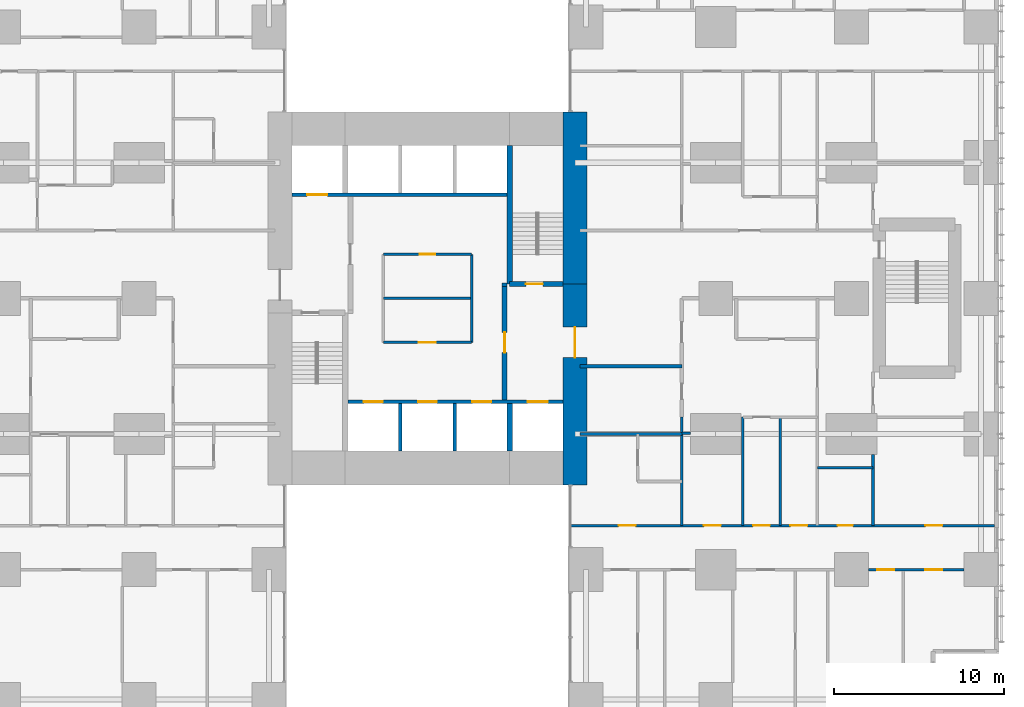
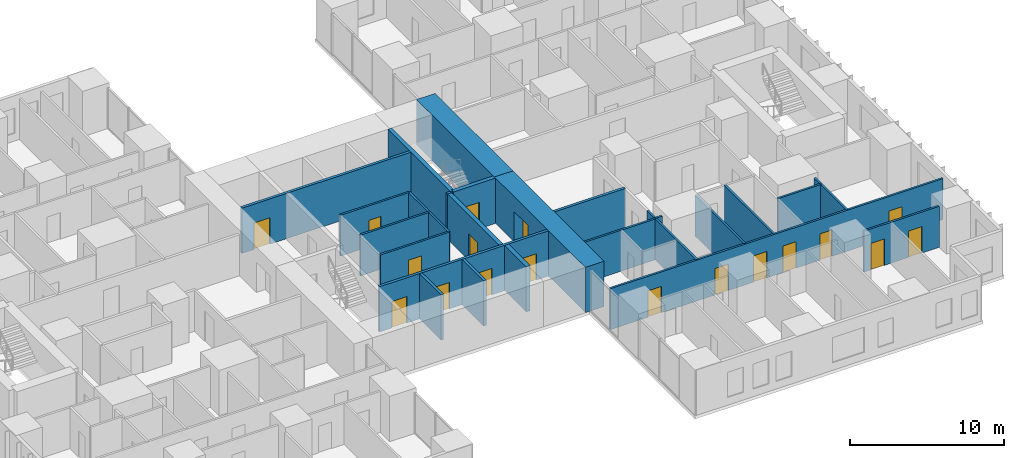
# One storey, part 15 of 20: 25 walls, 18 doors, 18 openings.
"""IFC4 building model written with IfcOpenShell, lengths in metres."""

from ifc_helpers import new_model, si_unit, direction, frame, frame_2d, origin, place, context, subcontext, project, spatial, rectangle, extrude, material, layer, layer_set, type_object, element, fill, save


model = new_model("IFC4")

# Units and contexts
model_context = context("Model", 3, precision=1e-05, world=origin(), true_north=direction((0.0, 1.0)))
body_context = subcontext(model_context, "Body", "Model", "MODEL_VIEW")
ifc_project = project(units=[si_unit("LENGTHUNIT", "METRE"), si_unit("AREAUNIT", "SQUARE_METRE"), si_unit("VOLUMEUNIT", "CUBIC_METRE"), si_unit("PLANEANGLEUNIT", "RADIAN"), si_unit("MASSUNIT", "GRAM", prefix="KILO")], contexts=[model_context])

# Site, building, storey
site_placement = place(None, origin())
site = spatial("IfcSite", under=ifc_project, at=site_placement, CompositionType="ELEMENT")
building_placement = place(site_placement, origin())
building = spatial("IfcBuilding", under=site, at=building_placement, Name="Cleftline Residences", CompositionType="ELEMENT")
storey_placement = place(building_placement, frame((0.0, 0.0, 87.199951171875)))
storey = spatial("IfcBuildingStorey", under=building, at=storey_placement, Name="L22", CompositionType="ELEMENT", Elevation=87.199951171875)

# Wall, opening, door
ifc_material_1 = material(Name="Concrete B70", Category="concrete")
ifc_layer_1 = layer(ifc_material_1, 1.39990234375)
ifc_layer_set_1 = layer_set([ifc_layer_1], Name="CORE WALL 1400")
wall_type_1 = type_object("IfcWallType", Name="CORE WALL 1400", PredefinedType="SHEAR", material=ifc_layer_set_1)
wall_1_placement = place(storey_placement, frame((41.699951171875, 13.0, 0.0), z_axis=(0.0, 0.0, 1.0), x_axis=(0.0, 1.0, 0.0)))
wall_1 = element("IfcWall", 1, at=wall_1_placement, inside=storey, type_object=wall_type_1, Name="Core wall E", PredefinedType="SHEAR", context=body_context, shape_type="SweptSolid", body=[
    extrude(rectangle(XDim=11.85009765625, YDim=1.39990234375, at=frame_2d((5.925048828125, 0.0))), origin(), (0.0, 0.0, 1.0), 3.60009765625),
])
opening_1_placement = place(wall_1_placement, frame((7.5, 0.0, 0.0)))
opening_1 = element("IfcOpeningElement", 2, at=opening_1_placement, cuts=wall_1, Name="Opening D7", PredefinedType="OPENING", context=body_context, shape_type="SweptSolid", body=[
    extrude(rectangle(XDim=1.800048828125, YDim=2.39990234375, at=frame_2d((0.89990234375, 1.199951171875))), frame((0.0, 0.7099609375, 0.0), z_axis=(0.0, -1.0, 0.0), x_axis=(1.0, 0.0, 0.0)), (0.0, 0.0, 1.0), 1.419921875),
])
ifc_material_2 = material(Name="Steel", Category="steel")
door_type_1 = type_object("IfcDoorType", Name="WING DOOR 1800X2400", OperationType="DOUBLE_DOOR_DOUBLE_SWING", PredefinedType="DOOR", material=ifc_material_2)
door_1_placement = place(opening_1_placement, origin())
door_1 = element("IfcDoor", 3, at=door_1_placement, inside=storey, type_object=door_type_1, Name="East wing door", OperationType="DOUBLE_DOOR_DOUBLE_SWING", OverallHeight=2.39990234375, OverallWidth=1.800048828125, PredefinedType="DOOR", context=body_context, shape_type="SweptSolid", body=[
    extrude(rectangle(XDim=1.800048828125, YDim=2.39990234375, at=frame_2d((0.89990234375, 1.199951171875))), frame((0.0, 0.02490234375, 0.0), z_axis=(0.0, -1.0, 0.0), x_axis=(1.0, 0.0, 0.0)), (0.0, 0.0, 1.0), 0.050048828125),
])
fill(opening_1, door_1)

# Walls
wall_2_placement = place(storey_placement, frame((41.699951171875, 24.85009765625, 0.0), z_axis=(0.0, 0.0, 1.0), x_axis=(0.0, 1.0, 0.0)))
element("IfcWall", 4, at=wall_2_placement, inside=storey, type_object=wall_type_1, Name="Core wall E1", PredefinedType="SHEAR", context=body_context, shape_type="SweptSolid", body=[
    extrude(rectangle(XDim=10.14990234375, YDim=1.39990234375, at=frame_2d((5.074951171875, 0.0))), origin(), (0.0, 0.0, 1.0), 3.60009765625),
])
ifc_material_3 = material(Name="Concrete B70", Category="concrete")
ifc_layer_2 = layer(ifc_material_3, 0.300048828125)
ifc_layer_set_2 = layer_set([ifc_layer_2], Name="CORE WALL 300")
wall_type_2 = type_object("IfcWallType", Name="CORE WALL 300", PredefinedType="SHEAR", material=ifc_layer_set_2)
wall_3_placement = place(storey_placement, frame((37.85009765625, 24.85009765625, 0.0), z_axis=(0.0, 0.0, 1.0), x_axis=(0.0, 1.0, 0.0)))
element("IfcWall", 5, at=wall_3_placement, inside=storey, type_object=wall_type_2, Name="Core wall SB-W", PredefinedType="SHEAR", context=body_context, shape_type="SweptSolid", body=[
    extrude(rectangle(XDim=8.14990234375, YDim=0.300048828125, at=frame_2d((4.074951171875, 0.0))), origin(), (0.0, 0.0, 1.0), 3.60009765625),
])

# Wall, opening, door
wall_4_placement = place(storey_placement, frame((37.85009765625, 24.85009765625, 0.0), z_axis=(0.0, 0.0, 1.0), x_axis=(1.0, 0.0, 0.0)))
wall_4 = element("IfcWall", 6, at=wall_4_placement, inside=storey, type_object=wall_type_2, Name="Core wall SB-S", PredefinedType="SHEAR", context=body_context, shape_type="SweptSolid", body=[
    extrude(rectangle(XDim=3.14990234375, YDim=0.300048828125, at=frame_2d((1.574951171875, 0.0))), origin(), (0.0, 0.0, 1.0), 3.60009765625),
])
opening_2_placement = place(wall_4_placement, frame((0.949951171875, 0.0, 0.0)))
opening_2 = element("IfcOpeningElement", 7, at=opening_2_placement, cuts=wall_4, Name="Opening D5", PredefinedType="OPENING", context=body_context, shape_type="SweptSolid", body=[
    extrude(rectangle(XDim=1.0, YDim=2.10009765625, at=frame_2d((0.5, 1.050048828125))), frame((0.0, 0.159912109375, 0.0), z_axis=(0.0, -1.0, 0.0), x_axis=(1.0, 0.0, 0.0)), (0.0, 0.0, 1.0), 0.320068359375),
])
ifc_material_4 = material(Name="Steel", Category="steel")
door_type_2 = type_object("IfcDoorType", Name="STAIR DOOR 1000X2100", OperationType="SINGLE_SWING_LEFT", PredefinedType="DOOR", material=ifc_material_4)
door_2_placement = place(opening_2_placement, origin())
door_2 = element("IfcDoor", 8, at=door_2_placement, inside=storey, type_object=door_type_2, Name="Stair B door", OperationType="SINGLE_SWING_RIGHT", OverallHeight=2.10009765625, OverallWidth=1.0, PredefinedType="DOOR", context=body_context, shape_type="SweptSolid", body=[
    extrude(rectangle(XDim=1.0, YDim=2.10009765625, at=frame_2d((0.5, 1.050048828125))), frame((0.0, 0.02490234375, 0.0), z_axis=(0.0, -1.0, 0.0), x_axis=(1.0, 0.0, 0.0)), (0.0, 0.0, 1.0), 0.050048828125),
])
fill(opening_2, door_2)

# Walls
wall_5_placement = place(storey_placement, frame((37.85009765625, 15.0, 0.0), z_axis=(0.0, 0.0, 1.0), x_axis=(0.0, 1.0, 0.0)))
element("IfcWall", 9, at=wall_5_placement, inside=storey, type_object=wall_type_2, Name="Lift shaft wall", PredefinedType="SHEAR", context=body_context, shape_type="SweptSolid", body=[
    extrude(rectangle(XDim=2.800048828125, YDim=0.300048828125, at=frame_2d((1.39990234375, 0.0))), origin(), (0.0, 0.0, 1.0), 3.60009765625),
])
ifc_material_5 = material(Name="Concrete blockwork, fire rated", Category="masonry")
ifc_layer_3 = layer(ifc_material_5, 0.199951171875)
ifc_layer_set_3 = layer_set([ifc_layer_3], Name="FIRE WALL 200")
wall_type_3 = type_object("IfcWallType", Name="FIRE WALL 200", PredefinedType="PARTITIONING", material=ifc_layer_set_3)
wall_6_placement = place(storey_placement, frame((42.0, 20.0, 0.0), z_axis=(0.0, 0.0, 1.0), x_axis=(1.0, 0.0, 0.0)))
element("IfcWall", 10, at=wall_6_placement, inside=storey, type_object=wall_type_3, Name="Fire separating wall", PredefinedType="PARTITIONING", context=body_context, shape_type="SweptSolid", body=[
    extrude(rectangle(XDim=6.0, YDim=0.199951171875, at=frame_2d((3.0, 0.0))), origin(), (0.0, 0.0, 1.0), 3.25),
])
wall_7_placement = place(storey_placement, frame((37.39990234375, 24.800048828125, 0.0), z_axis=(0.0, 0.0, 1.0), x_axis=(1.0, 0.0, 0.0)))
element("IfcWall", 11, at=wall_7_placement, inside=storey, type_object=wall_type_3, Name="Fire separating wall", PredefinedType="PARTITIONING", context=body_context, shape_type="SweptSolid", body=[
    extrude(rectangle(XDim=0.300048828125, YDim=0.199951171875, at=frame_2d((0.14990234375, 0.0))), origin(), (0.0, 0.0, 1.0), 3.60009765625),
])

# Wall, openings, doors
ifc_material_6 = material(Name="Gypsum board on steel studs", Category="steel")
ifc_layer_4 = layer(ifc_material_6, 0.14990234375)
ifc_layer_set_4 = layer_set([ifc_layer_4], Name="PARTITION 150")
wall_type_4 = type_object("IfcWallType", Name="PARTITION 150", PredefinedType="PARTITIONING", material=ifc_layer_set_4)
wall_8_placement = place(storey_placement, frame((59.0, 8.0, 0.0), z_axis=(0.0, 0.0, 1.0), x_axis=(1.0, 0.0, 0.0)))
wall_8 = element("IfcWall", 12, at=wall_8_placement, inside=storey, type_object=wall_type_4, Name="Partition", PredefinedType="PARTITIONING", context=body_context, shape_type="SweptSolid", body=[
    extrude(rectangle(XDim=5.64990234375, YDim=0.14990234375, at=frame_2d((2.824951171875, 0.0))), origin(), (0.0, 0.0, 1.0), 3.25),
])
opening_3_placement = place(wall_8_placement, frame((3.35009765625, 0.0, 0.0)))
opening_3 = element("IfcOpeningElement", 13, at=opening_3_placement, cuts=wall_8, Name="Opening D2", PredefinedType="OPENING", context=body_context, shape_type="SweptSolid", body=[
    extrude(rectangle(XDim=1.0, YDim=2.10009765625, at=frame_2d((0.5, 1.050048828125))), frame((0.0, 0.0849609375, 0.0), z_axis=(0.0, -1.0, 0.0), x_axis=(1.0, 0.0, 0.0)), (0.0, 0.0, 1.0), 0.169921875),
])
opening_4_placement = place(wall_8_placement, frame((0.52490234375, 0.0, 0.0)))
opening_4 = element("IfcOpeningElement", 14, at=opening_4_placement, cuts=wall_8, Name="Opening D2", PredefinedType="OPENING", context=body_context, shape_type="SweptSolid", body=[
    extrude(rectangle(XDim=1.0, YDim=2.10009765625, at=frame_2d((0.5, 1.050048828125))), frame((0.0, 0.0849609375, 0.0), z_axis=(0.0, -1.0, 0.0), x_axis=(1.0, 0.0, 0.0)), (0.0, 0.0, 1.0), 0.169921875),
])
ifc_material_7 = material(Name="Timber veneer on solid core", Category="wood")
door_type_3 = type_object("IfcDoorType", Name="DOOR 1000X2100", OperationType="SINGLE_SWING_LEFT", PredefinedType="DOOR", material=ifc_material_7)
door_3_placement = place(opening_3_placement, origin())
door_3 = element("IfcDoor", 15, at=door_3_placement, inside=storey, type_object=door_type_3, Name="Door to bedroom 2 sitting room", OperationType="SINGLE_SWING_LEFT", OverallHeight=2.10009765625, OverallWidth=1.0, PredefinedType="DOOR", context=body_context, shape_type="SweptSolid", body=[
    extrude(rectangle(XDim=1.0, YDim=2.10009765625, at=frame_2d((0.5, 1.050048828125))), frame((0.0, 0.02490234375, 0.0), z_axis=(0.0, -1.0, 0.0), x_axis=(1.0, 0.0, 0.0)), (0.0, 0.0, 1.0), 0.050048828125),
])
fill(opening_3, door_3)
door_4_placement = place(opening_4_placement, origin())
door_4 = element("IfcDoor", 16, at=door_4_placement, inside=storey, type_object=door_type_3, Name="Door to bedroom 2", OperationType="SINGLE_SWING_RIGHT", OverallHeight=2.10009765625, OverallWidth=1.0, PredefinedType="DOOR", context=body_context, shape_type="SweptSolid", body=[
    extrude(rectangle(XDim=1.0, YDim=2.10009765625, at=frame_2d((0.5, 1.050048828125))), frame((0.0, 0.02490234375, 0.0), z_axis=(0.0, -1.0, 0.0), x_axis=(1.0, 0.0, 0.0)), (0.0, 0.0, 1.0), 0.050048828125),
])
fill(opening_4, door_4)

wall_9_placement = place(storey_placement, frame((41.43896484375, 10.60009765625, 0.0), z_axis=(0.0, 0.0, 1.0), x_axis=(1.0, 0.0, 0.0)))
wall_9 = element("IfcWall", 17, at=wall_9_placement, inside=storey, type_object=wall_type_4, Name="Partition", PredefinedType="PARTITIONING", context=body_context, shape_type="SweptSolid", body=[
    extrude(rectangle(XDim=25.010986328125, YDim=0.14990234375, at=frame_2d((12.50537109375, 0.0))), origin(), (0.0, 0.0, 1.0), 3.25),
])
opening_5_placement = place(wall_9_placement, frame((10.760986328125, 0.0, 0.0)))
opening_5 = element("IfcOpeningElement", 18, at=opening_5_placement, cuts=wall_9, Name="Opening D2", PredefinedType="OPENING", context=body_context, shape_type="SweptSolid", body=[
    extrude(rectangle(XDim=1.0, YDim=2.10009765625, at=frame_2d((0.5, 1.050048828125))), frame((0.0, 0.0849609375, 0.0), z_axis=(0.0, -1.0, 0.0), x_axis=(1.0, 0.0, 0.0)), (0.0, 0.0, 1.0), 0.169921875),
])
opening_6_placement = place(wall_9_placement, frame((20.923583984375, 0.0, 0.0)))
opening_6 = element("IfcOpeningElement", 19, at=opening_6_placement, cuts=wall_9, Name="Opening D2", PredefinedType="OPENING", context=body_context, shape_type="SweptSolid", body=[
    extrude(rectangle(XDim=1.0, YDim=2.10009765625, at=frame_2d((0.5, 1.050048828125))), frame((0.0, 0.0849609375, 0.0), z_axis=(0.0, -1.0, 0.0), x_axis=(1.0, 0.0, 0.0)), (0.0, 0.0, 1.0), 0.169921875),
])
opening_7_placement = place(wall_9_placement, frame((15.74853515625, 0.0, 0.0)))
opening_7 = element("IfcOpeningElement", 20, at=opening_7_placement, cuts=wall_9, Name="Opening D1", PredefinedType="OPENING", context=body_context, shape_type="SweptSolid", body=[
    extrude(rectangle(XDim=0.89990234375, YDim=2.10009765625, at=frame_2d((0.449951171875, 1.050048828125))), frame((0.0, 0.0849609375, 0.0), z_axis=(0.0, -1.0, 0.0), x_axis=(1.0, 0.0, 0.0)), (0.0, 0.0, 1.0), 0.169921875),
])
opening_8_placement = place(wall_9_placement, frame((12.9609375, 0.0, 0.0)))
opening_8 = element("IfcOpeningElement", 21, at=opening_8_placement, cuts=wall_9, Name="Opening D2", PredefinedType="OPENING", context=body_context, shape_type="SweptSolid", body=[
    extrude(rectangle(XDim=1.0, YDim=2.10009765625, at=frame_2d((0.5, 1.050048828125))), frame((0.0, 0.0849609375, 0.0), z_axis=(0.0, -1.0, 0.0), x_axis=(1.0, 0.0, 0.0)), (0.0, 0.0, 1.0), 0.169921875),
])
opening_9_placement = place(wall_9_placement, frame((7.861083984375, 0.0, 0.0)))
opening_9 = element("IfcOpeningElement", 22, at=opening_9_placement, cuts=wall_9, Name="Opening D2", PredefinedType="OPENING", context=body_context, shape_type="SweptSolid", body=[
    extrude(rectangle(XDim=1.0, YDim=2.10009765625, at=frame_2d((0.5, 1.050048828125))), frame((0.0, 0.0849609375, 0.0), z_axis=(0.0, -1.0, 0.0), x_axis=(1.0, 0.0, 0.0)), (0.0, 0.0, 1.0), 0.169921875),
])
opening_10_placement = place(wall_9_placement, frame((2.8359375, 0.0, 0.0)))
opening_10 = element("IfcOpeningElement", 23, at=opening_10_placement, cuts=wall_9, Name="Opening D2", PredefinedType="OPENING", context=body_context, shape_type="SweptSolid", body=[
    extrude(rectangle(XDim=1.0, YDim=2.10009765625, at=frame_2d((0.5, 1.050048828125))), frame((0.0, 0.0849609375, 0.0), z_axis=(0.0, -1.0, 0.0), x_axis=(1.0, 0.0, 0.0)), (0.0, 0.0, 1.0), 0.169921875),
])
door_5_placement = place(opening_5_placement, origin())
door_5 = element("IfcDoor", 24, at=door_5_placement, inside=storey, type_object=door_type_3, Name="Door to residence hall", OperationType="SINGLE_SWING_RIGHT", OverallHeight=2.10009765625, OverallWidth=1.0, PredefinedType="DOOR", context=body_context, shape_type="SweptSolid", body=[
    extrude(rectangle(XDim=1.0, YDim=2.10009765625, at=frame_2d((0.5, 1.050048828125))), frame((0.0, 0.02490234375, 0.0), z_axis=(0.0, -1.0, 0.0), x_axis=(1.0, 0.0, 0.0)), (0.0, 0.0, 1.0), 0.050048828125),
])
fill(opening_5, door_5)
door_6_placement = place(opening_6_placement, origin())
door_6 = element("IfcDoor", 25, at=door_6_placement, inside=storey, type_object=door_type_3, Name="Door to sea-view living room", OperationType="SINGLE_SWING_LEFT", OverallHeight=2.10009765625, OverallWidth=1.0, PredefinedType="DOOR", context=body_context, shape_type="SweptSolid", body=[
    extrude(rectangle(XDim=1.0, YDim=2.10009765625, at=frame_2d((0.5, 1.050048828125))), frame((0.0, 0.02490234375, 0.0), z_axis=(0.0, -1.0, 0.0), x_axis=(1.0, 0.0, 0.0)), (0.0, 0.0, 1.0), 0.050048828125),
])
fill(opening_6, door_6)
door_7_placement = place(opening_8_placement, origin())
door_7 = element("IfcDoor", 26, at=door_7_placement, inside=storey, type_object=door_type_3, Name="Door to family room", OperationType="SINGLE_SWING_LEFT", OverallHeight=2.10009765625, OverallWidth=1.0, PredefinedType="DOOR", context=body_context, shape_type="SweptSolid", body=[
    extrude(rectangle(XDim=1.0, YDim=2.10009765625, at=frame_2d((0.5, 1.050048828125))), frame((0.0, 0.02490234375, 0.0), z_axis=(0.0, -1.0, 0.0), x_axis=(1.0, 0.0, 0.0)), (0.0, 0.0, 1.0), 0.050048828125),
])
fill(opening_8, door_7)
door_8_placement = place(opening_9_placement, origin())
door_8 = element("IfcDoor", 27, at=door_8_placement, inside=storey, type_object=door_type_3, Name="Door to wet kitchen", OperationType="SINGLE_SWING_RIGHT", OverallHeight=2.10009765625, OverallWidth=1.0, PredefinedType="DOOR", context=body_context, shape_type="SweptSolid", body=[
    extrude(rectangle(XDim=1.0, YDim=2.10009765625, at=frame_2d((0.5, 1.050048828125))), frame((0.0, 0.02490234375, 0.0), z_axis=(0.0, -1.0, 0.0), x_axis=(1.0, 0.0, 0.0)), (0.0, 0.0, 1.0), 0.050048828125),
])
fill(opening_9, door_8)
door_9_placement = place(opening_10_placement, origin())
door_9 = element("IfcDoor", 28, at=door_9_placement, inside=storey, type_object=door_type_3, Name="Door to master bedroom", OperationType="SINGLE_SWING_RIGHT", OverallHeight=2.10009765625, OverallWidth=1.0, PredefinedType="DOOR", context=body_context, shape_type="SweptSolid", body=[
    extrude(rectangle(XDim=1.0, YDim=2.10009765625, at=frame_2d((0.5, 1.050048828125))), frame((0.0, 0.02490234375, 0.0), z_axis=(0.0, -1.0, 0.0), x_axis=(1.0, 0.0, 0.0)), (0.0, 0.0, 1.0), 0.050048828125),
])
fill(opening_10, door_9)
ifc_material_8 = material(Name="Timber veneer on solid core", Category="wood")
door_type_4 = type_object("IfcDoorType", Name="DOOR 900X2100", OperationType="SINGLE_SWING_LEFT", PredefinedType="DOOR", material=ifc_material_8)
door_10_placement = place(opening_7_placement, origin())
door_10 = element("IfcDoor", 29, at=door_10_placement, inside=storey, type_object=door_type_4, Name="Door to bedroom 2 bathroom", OperationType="SINGLE_SWING_LEFT", OverallHeight=2.10009765625, OverallWidth=0.89990234375, PredefinedType="DOOR", context=body_context, shape_type="SweptSolid", body=[
    extrude(rectangle(XDim=0.89990234375, YDim=2.10009765625, at=frame_2d((0.449951171875, 1.050048828125))), frame((0.0, 0.02490234375, 0.0), z_axis=(0.0, -1.0, 0.0), x_axis=(1.0, 0.0, 0.0)), (0.0, 0.0, 1.0), 0.050048828125),
])
fill(opening_7, door_10)

# Walls
wall_10_placement = place(storey_placement, frame((56.0, 14.0, 0.0), z_axis=(0.0, 0.0, 1.0), x_axis=(1.0, 0.0, 0.0)))
element("IfcWall", 30, at=wall_10_placement, inside=storey, type_object=wall_type_4, Name="Partition", PredefinedType="PARTITIONING", context=body_context, shape_type="SweptSolid", body=[
    extrude(rectangle(XDim=3.27490234375, YDim=0.14990234375, at=frame_2d((1.637451171875, 0.0))), origin(), (0.0, 0.0, 1.0), 3.25),
])
wall_11_placement = place(storey_placement, frame((42.0, 16.0, 0.0), z_axis=(0.0, 0.0, 1.0), x_axis=(1.0, 0.0, 0.0)))
element("IfcWall", 31, at=wall_11_placement, inside=storey, type_object=wall_type_4, Name="Partition", PredefinedType="PARTITIONING", context=body_context, shape_type="SweptSolid", body=[
    extrude(rectangle(XDim=6.0, YDim=0.14990234375, at=frame_2d((3.0, 0.0))), origin(), (0.0, 0.0, 1.0), 3.25),
])
wall_12_placement = place(storey_placement, frame((48.0, 16.050048828125, 0.0), z_axis=(0.0, 0.0, 1.0), x_axis=(1.0, 0.0, 0.0)))
element("IfcWall", 32, at=wall_12_placement, inside=storey, type_object=wall_type_4, Name="Partition", PredefinedType="PARTITIONING", context=body_context, shape_type="SweptSolid", body=[
    extrude(rectangle(XDim=0.5, YDim=0.14990234375, at=frame_2d((0.25, 0.0))), origin(), (0.0, 0.0, 1.0), 3.25),
])
for number, where, z_axis, x_axis, name in (
    (33, (48.0, 10.60009765625, 0.0), (0.0, 0.0, 1.0), (0.0, 1.0, 0.0), "Partition"),
    (34, (51.60009765625, 10.60009765625, 0.0), (0.0, 0.0, 1.0), (0.0, 1.0, 0.0), "Partition"),
    (35, (53.800048828125, 10.60009765625, 0.0), (0.0, 0.0, 1.0), (0.0, 1.0, 0.0), "Partition"),
):
    element("IfcWall", number, at=place(storey_placement, frame(where, z_axis=z_axis, x_axis=x_axis)), inside=storey, type_object=wall_type_4, Name=name, PredefinedType="PARTITIONING", context=body_context, shape_type="SweptSolid", body=[
        extrude(rectangle(XDim=6.39990234375, YDim=0.14990234375, at=frame_2d((3.199951171875, 0.0))), origin(), (0.0, 0.0, 1.0), 3.25),
    ])
wall_13_placement = place(storey_placement, frame((59.27490234375, 10.60009765625, 0.0), z_axis=(0.0, 0.0, 1.0), x_axis=(0.0, 1.0, 0.0)))
element("IfcWall", 36, at=wall_13_placement, inside=storey, type_object=wall_type_4, Name="Partition", PredefinedType="PARTITIONING", context=body_context, shape_type="SweptSolid", body=[
    extrude(rectangle(XDim=4.199951171875, YDim=0.14990234375, at=frame_2d((2.10009765625, 0.0))), origin(), (0.0, 0.0, 1.0), 3.25),
])

# Wall, opening, door
ifc_material_9 = material(Name="Fire-resisting gypsum board on steel studs", Category="steel")
ifc_layer_5 = layer(ifc_material_9, 0.14990234375)
ifc_layer_set_5 = layer_set([ifc_layer_5], Name="PARTITION 150 EI 60")
wall_type_5 = type_object("IfcWallType", Name="PARTITION 150 EI 60", PredefinedType="PARTITIONING", material=ifc_layer_set_5)
wall_14_placement = place(storey_placement, frame((30.39990234375, 21.39990234375, 0.0), z_axis=(0.0, 0.0, 1.0), x_axis=(1.0, 0.0, 0.0)))
wall_14 = element("IfcWall", 37, at=wall_14_placement, inside=storey, type_object=wall_type_5, Name="Core room partition", PredefinedType="PARTITIONING", context=body_context, shape_type="SweptSolid", body=[
    extrude(rectangle(XDim=5.2001953125, YDim=0.14990234375, at=frame_2d((2.60009765625, 0.0))), origin(), (0.0, 0.0, 1.0), 3.25),
])
opening_11_placement = place(wall_14_placement, frame((2.10009765625, 0.0, 0.0)))
opening_11 = element("IfcOpeningElement", 38, at=opening_11_placement, cuts=wall_14, Name="Opening D2F60", PredefinedType="OPENING", context=body_context, shape_type="SweptSolid", body=[
    extrude(rectangle(XDim=1.0, YDim=2.10009765625, at=frame_2d((0.5, 1.050048828125))), frame((0.0, 0.0849609375, 0.0), z_axis=(0.0, -1.0, 0.0), x_axis=(1.0, 0.0, 0.0)), (0.0, 0.0, 1.0), 0.169921875),
])
ifc_material_10 = material(Name="Timber veneer on solid core", Category="wood")
door_type_5 = type_object("IfcDoorType", Name="DOOR 1000X2100 EI 60", OperationType="SINGLE_SWING_LEFT", PredefinedType="DOOR", material=ifc_material_10)
door_11_placement = place(opening_11_placement, origin())
door_11 = element("IfcDoor", 39, at=door_11_placement, inside=storey, type_object=door_type_5, Name="Door to electrical room", OperationType="SINGLE_SWING_LEFT", OverallHeight=2.10009765625, OverallWidth=1.0, PredefinedType="DOOR", context=body_context, shape_type="SweptSolid", body=[
    extrude(rectangle(XDim=1.0, YDim=2.10009765625, at=frame_2d((0.5, 1.050048828125))), frame((0.0, 0.02490234375, 0.0), z_axis=(0.0, -1.0, 0.0), x_axis=(1.0, 0.0, 0.0)), (0.0, 0.0, 1.0), 0.050048828125),
])
fill(opening_11, door_11)

wall_15_placement = place(storey_placement, frame((30.39990234375, 26.60009765625, 0.0), z_axis=(0.0, 0.0, 1.0), x_axis=(1.0, 0.0, 0.0)))
wall_15 = element("IfcWall", 40, at=wall_15_placement, inside=storey, type_object=wall_type_5, Name="Core room partition", PredefinedType="PARTITIONING", context=body_context, shape_type="SweptSolid", body=[
    extrude(rectangle(XDim=5.2001953125, YDim=0.14990234375, at=frame_2d((2.60009765625, 0.0))), origin(), (0.0, 0.0, 1.0), 3.25),
])
opening_12_placement = place(wall_15_placement, frame((2.14990234375, 0.0, 0.0)))
opening_12 = element("IfcOpeningElement", 41, at=opening_12_placement, cuts=wall_15, Name="Opening D1F30", PredefinedType="OPENING", context=body_context, shape_type="SweptSolid", body=[
    extrude(rectangle(XDim=0.89990234375, YDim=2.10009765625, at=frame_2d((0.449951171875, 1.050048828125))), frame((0.0, 0.0849609375, 0.0), z_axis=(0.0, -1.0, 0.0), x_axis=(1.0, 0.0, 0.0)), (0.0, 0.0, 1.0), 0.169921875),
])
ifc_material_11 = material(Name="Timber veneer on solid core", Category="wood")
door_type_6 = type_object("IfcDoorType", Name="DOOR 900X2100 EI 30", OperationType="SINGLE_SWING_LEFT", PredefinedType="DOOR", material=ifc_material_11)
door_12_placement = place(opening_12_placement, origin())
door_12 = element("IfcDoor", 42, at=door_12_placement, inside=storey, type_object=door_type_6, Name="Door to maintenance store", OperationType="SINGLE_SWING_LEFT", OverallHeight=2.10009765625, OverallWidth=0.89990234375, PredefinedType="DOOR", context=body_context, shape_type="SweptSolid", body=[
    extrude(rectangle(XDim=0.89990234375, YDim=2.10009765625, at=frame_2d((0.449951171875, 1.050048828125))), frame((0.0, 0.02490234375, 0.0), z_axis=(0.0, -1.0, 0.0), x_axis=(1.0, 0.0, 0.0)), (0.0, 0.0, 1.0), 0.050048828125),
])
fill(opening_12, door_12)

# Walls
for number, where, z_axis, x_axis, name in (
    (43, (35.60009765625, 21.39990234375, 0.0), (0.0, 0.0, 1.0), (0.0, 1.0, 0.0), "Core room partition"),
    (44, (30.39990234375, 24.0, 0.0), (0.0, 0.0, 1.0), (1.0, 0.0, 0.0), "Core room partition"),
):
    element("IfcWall", number, at=place(storey_placement, frame(where, z_axis=z_axis, x_axis=x_axis)), inside=storey, type_object=wall_type_5, Name=name, PredefinedType="PARTITIONING", context=body_context, shape_type="SweptSolid", body=[
        extrude(rectangle(XDim=5.2001953125, YDim=0.14990234375, at=frame_2d((2.60009765625, 0.0))), origin(), (0.0, 0.0, 1.0), 3.25),
    ])

# Wall, openings, doors
ifc_material_12 = material(Name="Concrete blockwork, fire rated", Category="masonry")
ifc_layer_6 = layer(ifc_material_12, 0.199951171875)
ifc_layer_set_6 = layer_set([ifc_layer_6], Name="SHAFT WALL 200")
wall_type_6 = type_object("IfcWallType", Name="SHAFT WALL 200", PredefinedType="PARTITIONING", material=ifc_layer_set_6)
wall_16_placement = place(storey_placement, frame((28.300048828125, 17.89990234375, 0.0), z_axis=(0.0, 0.0, 1.0), x_axis=(1.0, 0.0, 0.0)))
wall_16 = element("IfcWall", 45, at=wall_16_placement, inside=storey, type_object=wall_type_6, Name="Lift shaft wall", PredefinedType="PARTITIONING", context=body_context, shape_type="SweptSolid", body=[
    extrude(rectangle(XDim=12.699951171875, YDim=0.199951171875, at=frame_2d((6.35009765625, 0.0))), origin(), (0.0, 0.0, 1.0), 3.60009765625),
])
opening_13_placement = place(wall_16_placement, frame((0.949951171875, 0.0, 0.0)))
opening_13 = element("IfcOpeningElement", 46, at=opening_13_placement, cuts=wall_16, Name="Opening LD1", PredefinedType="OPENING", context=body_context, shape_type="SweptSolid", body=[
    extrude(rectangle(XDim=1.10009765625, YDim=2.10009765625, at=frame_2d((0.550048828125, 1.050048828125))), frame((0.0, 0.10986328125, 0.0), z_axis=(0.0, -1.0, 0.0), x_axis=(1.0, 0.0, 0.0)), (0.0, 0.0, 1.0), 0.219970703125),
])
opening_14_placement = place(wall_16_placement, frame((4.14990234375, 0.0, 0.0)))
opening_14 = element("IfcOpeningElement", 47, at=opening_14_placement, cuts=wall_16, Name="Opening LD1", PredefinedType="OPENING", context=body_context, shape_type="SweptSolid", body=[
    extrude(rectangle(XDim=1.10009765625, YDim=2.10009765625, at=frame_2d((0.550048828125, 1.050048828125))), frame((0.0, 0.10986328125, 0.0), z_axis=(0.0, -1.0, 0.0), x_axis=(1.0, 0.0, 0.0)), (0.0, 0.0, 1.0), 0.219970703125),
])
opening_15_placement = place(wall_16_placement, frame((7.35009765625, 0.0, 0.0)))
opening_15 = element("IfcOpeningElement", 48, at=opening_15_placement, cuts=wall_16, Name="Opening LD1", PredefinedType="OPENING", context=body_context, shape_type="SweptSolid", body=[
    extrude(rectangle(XDim=1.10009765625, YDim=2.10009765625, at=frame_2d((0.550048828125, 1.050048828125))), frame((0.0, 0.10986328125, 0.0), z_axis=(0.0, -1.0, 0.0), x_axis=(1.0, 0.0, 0.0)), (0.0, 0.0, 1.0), 0.219970703125),
])
opening_16_placement = place(wall_16_placement, frame((10.60009765625, 0.0, 0.0)))
opening_16 = element("IfcOpeningElement", 49, at=opening_16_placement, cuts=wall_16, Name="Opening LD2", PredefinedType="OPENING", context=body_context, shape_type="SweptSolid", body=[
    extrude(rectangle(XDim=1.199951171875, YDim=2.10009765625, at=frame_2d((0.60009765625, 1.050048828125))), frame((0.0, 0.10986328125, 0.0), z_axis=(0.0, -1.0, 0.0), x_axis=(1.0, 0.0, 0.0)), (0.0, 0.0, 1.0), 0.219970703125),
])
ifc_material_13 = material(Name="Steel", Category="steel")
door_type_7 = type_object("IfcDoorType", Name="FIREFIGHTING LIFT LANDING DOOR 1200X2100", OperationType="SLIDING_TO_LEFT", PredefinedType="DOOR", material=ifc_material_13)
door_13_placement = place(opening_16_placement, origin())
door_13 = element("IfcDoor", 50, at=door_13_placement, inside=storey, type_object=door_type_7, Name="Lift FL2 landing door", OperationType="SLIDING_TO_LEFT", OverallHeight=2.10009765625, OverallWidth=1.199951171875, PredefinedType="DOOR", context=body_context, shape_type="SweptSolid", body=[
    extrude(rectangle(XDim=1.199951171875, YDim=2.10009765625, at=frame_2d((0.60009765625, 1.050048828125))), frame((0.0, 0.02490234375, 0.0), z_axis=(0.0, -1.0, 0.0), x_axis=(1.0, 0.0, 0.0)), (0.0, 0.0, 1.0), 0.050048828125),
])
fill(opening_16, door_13)
ifc_material_14 = material(Name="Steel", Category="steel")
door_type_8 = type_object("IfcDoorType", Name="LIFT LANDING DOOR 1100X2100", OperationType="SLIDING_TO_LEFT", PredefinedType="DOOR", material=ifc_material_14)
door_14_placement = place(opening_13_placement, origin())
door_14 = element("IfcDoor", 51, at=door_14_placement, inside=storey, type_object=door_type_8, Name="Lift P1 landing door", OperationType="SLIDING_TO_LEFT", OverallHeight=2.10009765625, OverallWidth=1.10009765625, PredefinedType="DOOR", context=body_context, shape_type="SweptSolid", body=[
    extrude(rectangle(XDim=1.10009765625, YDim=2.10009765625, at=frame_2d((0.550048828125, 1.050048828125))), frame((0.0, 0.02490234375, 0.0), z_axis=(0.0, -1.0, 0.0), x_axis=(1.0, 0.0, 0.0)), (0.0, 0.0, 1.0), 0.050048828125),
])
fill(opening_13, door_14)
door_15_placement = place(opening_14_placement, origin())
door_15 = element("IfcDoor", 52, at=door_15_placement, inside=storey, type_object=door_type_8, Name="Lift P2 landing door", OperationType="SLIDING_TO_LEFT", OverallHeight=2.10009765625, OverallWidth=1.10009765625, PredefinedType="DOOR", context=body_context, shape_type="SweptSolid", body=[
    extrude(rectangle(XDim=1.10009765625, YDim=2.10009765625, at=frame_2d((0.550048828125, 1.050048828125))), frame((0.0, 0.02490234375, 0.0), z_axis=(0.0, -1.0, 0.0), x_axis=(1.0, 0.0, 0.0)), (0.0, 0.0, 1.0), 0.050048828125),
])
fill(opening_14, door_15)
door_16_placement = place(opening_15_placement, origin())
door_16 = element("IfcDoor", 53, at=door_16_placement, inside=storey, type_object=door_type_8, Name="Lift P3 landing door", OperationType="SLIDING_TO_LEFT", OverallHeight=2.10009765625, OverallWidth=1.10009765625, PredefinedType="DOOR", context=body_context, shape_type="SweptSolid", body=[
    extrude(rectangle(XDim=1.10009765625, YDim=2.10009765625, at=frame_2d((0.550048828125, 1.050048828125))), frame((0.0, 0.02490234375, 0.0), z_axis=(0.0, -1.0, 0.0), x_axis=(1.0, 0.0, 0.0)), (0.0, 0.0, 1.0), 0.050048828125),
])
fill(opening_15, door_16)

# Wall, opening, door
wall_17_placement = place(storey_placement, frame((25.0, 30.10009765625, 0.0), z_axis=(0.0, 0.0, 1.0), x_axis=(1.0, 0.0, 0.0)))
wall_17 = element("IfcWall", 54, at=wall_17_placement, inside=storey, type_object=wall_type_6, Name="Lift shaft wall", PredefinedType="PARTITIONING", context=body_context, shape_type="SweptSolid", body=[
    extrude(rectangle(XDim=12.699951171875, YDim=0.199951171875, at=frame_2d((6.35009765625, 0.0))), origin(), (0.0, 0.0, 1.0), 3.60009765625),
])
opening_17_placement = place(wall_17_placement, frame((0.89990234375, 0.0, 0.0)))
opening_17 = element("IfcOpeningElement", 55, at=opening_17_placement, cuts=wall_17, Name="Opening LD2", PredefinedType="OPENING", context=body_context, shape_type="SweptSolid", body=[
    extrude(rectangle(XDim=1.199951171875, YDim=2.10009765625, at=frame_2d((0.60009765625, 1.050048828125))), frame((0.0, 0.10986328125, 0.0), z_axis=(0.0, -1.0, 0.0), x_axis=(1.0, 0.0, 0.0)), (0.0, 0.0, 1.0), 0.219970703125),
])
door_17_placement = place(opening_17_placement, origin())
door_17 = element("IfcDoor", 56, at=door_17_placement, inside=storey, type_object=door_type_7, Name="Lift FL1 landing door", OperationType="SLIDING_TO_LEFT", OverallHeight=2.10009765625, OverallWidth=1.199951171875, PredefinedType="DOOR", context=body_context, shape_type="SweptSolid", body=[
    extrude(rectangle(XDim=1.199951171875, YDim=2.10009765625, at=frame_2d((0.60009765625, 1.050048828125))), frame((0.0, 0.02490234375, 0.0), z_axis=(0.0, -1.0, 0.0), x_axis=(1.0, 0.0, 0.0)), (0.0, 0.0, 1.0), 0.050048828125),
])
fill(opening_17, door_17)

# Walls
for number, where, z_axis, x_axis, name in (
    (57, (31.39990234375, 15.0, 0.0), (0.0, 0.0, 1.0), (0.0, 1.0, 0.0), "Lift shaft wall"),
    (58, (34.60009765625, 15.0, 0.0), (0.0, 0.0, 1.0), (0.0, 1.0, 0.0), "Lift shaft wall"),
):
    element("IfcWall", number, at=place(storey_placement, frame(where, z_axis=z_axis, x_axis=x_axis)), inside=storey, type_object=wall_type_6, Name=name, PredefinedType="PARTITIONING", context=body_context, shape_type="SweptSolid", body=[
        extrude(rectangle(XDim=2.800048828125, YDim=0.199951171875, at=frame_2d((1.39990234375, 0.0))), origin(), (0.0, 0.0, 1.0), 3.60009765625),
    ])

# Wall, opening, door
ifc_material_15 = material(Name="Concrete blockwork, fire rated", Category="masonry")
ifc_layer_7 = layer(ifc_material_15, 0.300048828125)
ifc_layer_set_7 = layer_set([ifc_layer_7], Name="STAIR LOBBY WALL 300")
wall_type_7 = type_object("IfcWallType", Name="STAIR LOBBY WALL 300", PredefinedType="PARTITIONING", material=ifc_layer_set_7)
wall_18_placement = place(storey_placement, frame((37.550048828125, 18.0, 0.0), z_axis=(0.0, 0.0, 1.0), x_axis=(0.0, 1.0, 0.0)))
wall_18 = element("IfcWall", 59, at=wall_18_placement, inside=storey, type_object=wall_type_7, Name="Stair and lobby wall FB-W", PredefinedType="PARTITIONING", context=body_context, shape_type="SweptSolid", body=[
    extrude(rectangle(XDim=6.699951171875, YDim=0.300048828125, at=frame_2d((3.35009765625, 0.0))), origin(), (0.0, 0.0, 1.0), 3.60009765625),
])
opening_18_placement = place(wall_18_placement, frame((2.800048828125, 0.0, 0.0)))
opening_18 = element("IfcOpeningElement", 60, at=opening_18_placement, cuts=wall_18, Name="Opening D6", PredefinedType="OPENING", context=body_context, shape_type="SweptSolid", body=[
    extrude(rectangle(XDim=1.199951171875, YDim=2.10009765625, at=frame_2d((0.60009765625, 1.050048828125))), frame((0.0, 0.159912109375, 0.0), z_axis=(0.0, -1.0, 0.0), x_axis=(1.0, 0.0, 0.0)), (0.0, 0.0, 1.0), 0.320068359375),
])
ifc_material_16 = material(Name="Steel", Category="steel")
door_type_9 = type_object("IfcDoorType", Name="LOBBY DOOR 1200X2100", OperationType="SINGLE_SWING_RIGHT", PredefinedType="DOOR", material=ifc_material_16)
door_18_placement = place(opening_18_placement, origin())
door_18 = element("IfcDoor", 61, at=door_18_placement, inside=storey, type_object=door_type_9, Name="Firefighting lobby B door", OperationType="SINGLE_SWING_LEFT", OverallHeight=2.10009765625, OverallWidth=1.199951171875, PredefinedType="DOOR", context=body_context, shape_type="SweptSolid", body=[
    extrude(rectangle(XDim=1.199951171875, YDim=2.10009765625, at=frame_2d((0.60009765625, 1.050048828125))), frame((0.0, 0.02490234375, 0.0), z_axis=(0.0, -1.0, 0.0), x_axis=(1.0, 0.0, 0.0)), (0.0, 0.0, 1.0), 0.050048828125),
])
fill(opening_18, door_18)

save(model, "model.ifc")
